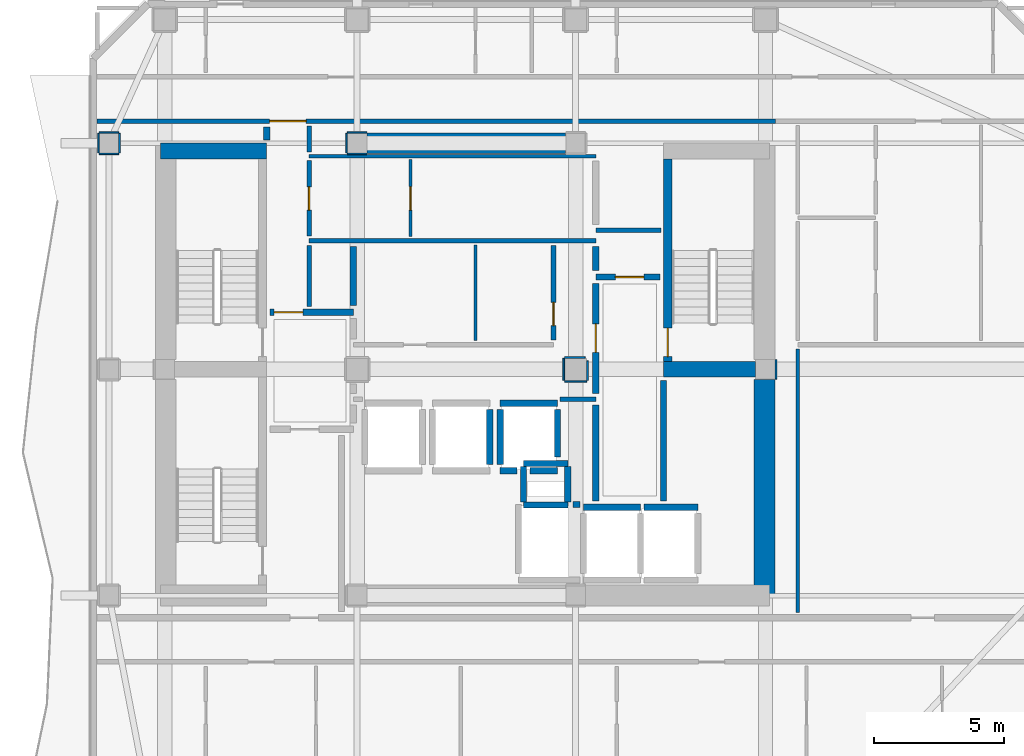
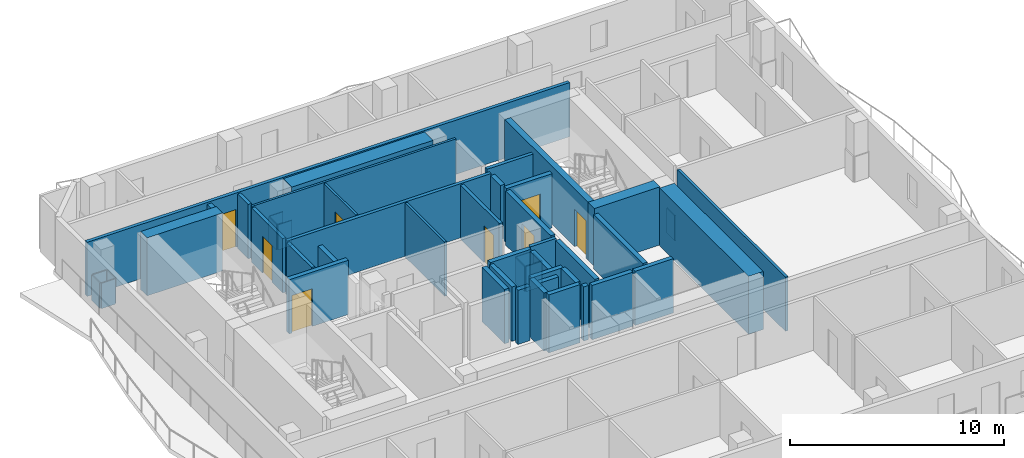
# One storey, part 4 of 9: 50 walls, 8 doors, 8 openings.
"""IFC4 building model written with IfcOpenShell, lengths in metres."""

from ifc_helpers import new_model, si_unit, direction, frame, frame_2d, origin, place, context, subcontext, project, spatial, rectangle, extrude, material, layer, layer_set, type_object, element, fill, save


model = new_model("IFC4")

# Units and contexts
model_context = context("Model", 3, precision=1e-05, world=origin(), true_north=direction((0.0, 1.0)))
body_context = subcontext(model_context, "Body", "Model", "MODEL_VIEW")
ifc_project = project(units=[si_unit("LENGTHUNIT", "METRE"), si_unit("AREAUNIT", "SQUARE_METRE"), si_unit("VOLUMEUNIT", "CUBIC_METRE"), si_unit("PLANEANGLEUNIT", "RADIAN"), si_unit("MASSUNIT", "GRAM", prefix="KILO")], contexts=[model_context])

# Site, building, storey
site_placement = place(None, origin())
site = spatial("IfcSite", under=ifc_project, at=site_placement, CompositionType="ELEMENT")
building_placement = place(site_placement, origin())
building = spatial("IfcBuilding", under=site, at=building_placement, Name="Solanera Arch Residences", CompositionType="ELEMENT")
storey_placement = place(building_placement, frame((0.0, 0.0, 220.0400390625)))
storey = spatial("IfcBuildingStorey", under=building, at=storey_placement, Name="L64", CompositionType="ELEMENT", Elevation=220.0400390625)

# Walls
ifc_material_1 = material(Name="Fire-Rated Gypsum Stud Partition", Category="gypsum")
ifc_layer_1 = layer(ifc_material_1, 0.06005859375)
ifc_layer_set_1 = layer_set([ifc_layer_1], Name="Fire-Rated Gypsum Stud Partition")
wall_type_1 = type_object("IfcWallType", Name="Column Acoustic Furring Wall 60", PredefinedType="PARTITIONING", material=ifc_layer_set_1)
for number, where, z_axis, x_axis, name in (
    (1, (20.425048828125, 38.992919921875, 0.0), (0.0, 0.0, 1.0), (1.0, 0.0, 0.0), "L64 Column Furring 3S"),
    (2, (20.425048828125, 39.806884765625, 0.0), (0.0, 0.0, 1.0), (1.0, 0.0, 0.0), "L64 Column Furring 3N"),
):
    element("IfcWall", number, at=place(storey_placement, frame(where, z_axis=z_axis, x_axis=x_axis)), inside=storey, type_object=wall_type_1, Name=name, PredefinedType="PARTITIONING", context=body_context, shape_type="SweptSolid", body=[
        extrude(rectangle(XDim=0.741943359375, YDim=0.06005859375, at=frame_2d((0.37109375, 0.0))), origin(), (0.0, 0.0, 1.0), 1.449951171875),
    ])
for number, where, z_axis, x_axis, name in (
    (3, (20.39306640625, 39.02490234375, 0.0), (0.0, 0.0, 1.0), (0.0, 1.0, 0.0), "L64 Column Furring 3W"),
    (4, (36.906982421875, 30.324951171875, 0.0), (0.0, 0.0, 1.0), (0.0, 1.0, 0.0), "L64 Column Furring 6E"),
):
    element("IfcWall", number, at=place(storey_placement, frame(where, z_axis=z_axis, x_axis=x_axis)), inside=storey, type_object=wall_type_1, Name=name, PredefinedType="PARTITIONING", context=body_context, shape_type="SweptSolid", body=[
        extrude(rectangle(XDim=0.75, YDim=0.06005859375, at=frame_2d((0.375, 0.0))), origin(), (0.0, 0.0, 1.0), 1.449951171875),
    ])
wall_1_placement = place(storey_placement, frame((28.77490234375, 30.242919921875, 0.0), z_axis=(0.0, 0.0, 1.0), x_axis=(1.0, 0.0, 0.0)))
element("IfcWall", 5, at=wall_1_placement, inside=storey, type_object=wall_type_1, Name="L64 Column Furring 8S", PredefinedType="PARTITIONING", context=body_context, shape_type="SweptSolid", body=[
    extrude(rectangle(XDim=0.85009765625, YDim=0.06005859375, at=frame_2d((0.425048828125, 0.0))), origin(), (0.0, 0.0, 1.0), 1.449951171875),
])
wall_2_placement = place(storey_placement, frame((28.77490234375, 31.156982421875, 0.0), z_axis=(0.0, 0.0, 1.0), x_axis=(1.0, 0.0, 0.0)))
element("IfcWall", 6, at=wall_2_placement, inside=storey, type_object=wall_type_1, Name="L64 Column Furring 8N", PredefinedType="PARTITIONING", context=body_context, shape_type="SweptSolid", body=[
    extrude(rectangle(XDim=0.794189453125, YDim=0.06005859375, at=frame_2d((0.39697265625, 0.0))), origin(), (0.0, 0.0, 1.0), 1.449951171875),
])
wall_3_placement = place(storey_placement, frame((28.742919921875, 30.27490234375, 0.0), z_axis=(0.0, 0.0, 1.0), x_axis=(0.0, 1.0, 0.0)))
element("IfcWall", 7, at=wall_3_placement, inside=storey, type_object=wall_type_1, Name="L64 Column Furring 8W", PredefinedType="PARTITIONING", context=body_context, shape_type="SweptSolid", body=[
    extrude(rectangle(XDim=0.85009765625, YDim=0.06005859375, at=frame_2d((0.425048828125, 0.0))), origin(), (0.0, 0.0, 1.0), 1.449951171875),
])
wall_4_placement = place(storey_placement, frame((29.656982421875, 30.27490234375, 0.0), z_axis=(0.0, 0.0, 1.0), x_axis=(0.0, 1.0, 0.0)))
element("IfcWall", 8, at=wall_4_placement, inside=storey, type_object=wall_type_1, Name="L64 Column Furring 8E", PredefinedType="PARTITIONING", context=body_context, shape_type="SweptSolid", body=[
    extrude(rectangle(XDim=0.757080078125, YDim=0.06005859375, at=frame_2d((0.37841796875, 0.0))), origin(), (0.0, 0.0, 1.0), 1.449951171875),
])
for number, where, z_axis, x_axis, name in (
    (9, (10.875, 38.992919921875, 0.0), (0.0, 0.0, 1.0), (1.0, 0.0, 0.0), "L64 Column Furring 21S"),
    (10, (10.875, 39.806884765625, 0.0), (0.0, 0.0, 1.0), (1.0, 0.0, 0.0), "L64 Column Furring 21N"),
    (11, (10.843017578125, 39.02490234375, 0.0), (0.0, 0.0, 1.0), (0.0, 1.0, 0.0), "L64 Column Furring 21W"),
    (12, (11.656982421875, 39.02490234375, 0.0), (0.0, 0.0, 1.0), (0.0, 1.0, 0.0), "L64 Column Furring 21E"),
):
    element("IfcWall", number, at=place(storey_placement, frame(where, z_axis=z_axis, x_axis=x_axis)), inside=storey, type_object=wall_type_1, Name=name, PredefinedType="PARTITIONING", context=body_context, shape_type="SweptSolid", body=[
        extrude(rectangle(XDim=0.75, YDim=0.06005859375, at=frame_2d((0.375, 0.0))), origin(), (0.0, 0.0, 1.0), 1.449951171875),
    ])

# Wall, opening, door
ifc_material_2 = material(Name="Concrete C40/50 (f'c = 45 MPa)", Category="concrete")
ifc_layer_2 = layer(ifc_material_2, 0.320068359375)
ifc_layer_set_2 = layer_set([ifc_layer_2], Name="Concrete C40/50 (f'c = 45 MPa)")
wall_type_2 = type_object("IfcWallType", Name="Core Shear Wall CW-320", PredefinedType="SHEAR", material=ifc_layer_set_2)
wall_5_placement = place(storey_placement, frame((32.739990234375, 31.0, 0.0), z_axis=(0.0, 0.0, 1.0), x_axis=(0.0, 1.0, 0.0)))
wall_5 = element("IfcWall", 13, at=wall_5_placement, inside=storey, type_object=wall_type_2, Name="L64 Stair ST-T2 West Shear Wall", PredefinedType="SHEAR", context=body_context, shape_type="SweptSolid", body=[
    extrude(rectangle(XDim=7.800048828125, YDim=0.320068359375, at=frame_2d((3.89990234375, 0.0))), origin(), (0.0, 0.0, 1.0), 3.320068359375),
])
opening_1_placement = place(wall_5_placement, frame((0.18994140625, 0.0, 0.0)))
opening_1 = element("IfcOpeningElement", 14, at=opening_1_placement, cuts=wall_5, Name="Opening DF-01", PredefinedType="OPENING", context=body_context, shape_type="SweptSolid", body=[
    extrude(rectangle(XDim=1.10009765625, YDim=2.14990234375, at=frame_2d((0.550048828125, 1.074951171875))), frame((0.0, 0.169921875, 0.0), z_axis=(0.0, -1.0, 0.0), x_axis=(1.0, 0.0, 0.0)), (0.0, 0.0, 1.0), 0.3401),
])
ifc_material_3 = material(Name="Fire-Rated Architectural Hardwood", Category="wood")
door_type_1 = type_object("IfcDoorType", Name="Stair Exit Fire Door DF-01", OperationType="NOTDEFINED", PredefinedType="DOOR", material=ifc_material_3)
door_1_placement = place(opening_1_placement, origin())
door_1 = element("IfcDoor", 15, at=door_1_placement, inside=storey, type_object=door_type_1, Name="DR-L64-STAIR-ST-T2", OperationType="SINGLE_SWING_LEFT", OverallHeight=2.14990234375, OverallWidth=1.10009765625, PredefinedType="DOOR", context=body_context, shape_type="SweptSolid", body=[
    extrude(rectangle(XDim=1.10009765625, YDim=2.14990234375, at=frame_2d((0.550048828125, 1.074951171875))), frame((0.0, 0.02490234375, 0.0), z_axis=(0.0, -1.0, 0.0), x_axis=(1.0, 0.0, 0.0)), (0.0, 0.0, 1.0), 0.050048828125),
])
fill(opening_1, door_1)

# Walls
ifc_material_4 = material(Name="Concrete C40/50 (f'c = 45 MPa)", Category="concrete")
ifc_layer_3 = layer(ifc_material_4, 0.60009765625)
ifc_layer_set_3 = layer_set([ifc_layer_3], Name="Concrete C40/50 (f'c = 45 MPa)")
wall_type_3 = type_object("IfcWallType", Name="Core Shear Wall CW-600", PredefinedType="SHEAR", material=ifc_layer_set_3)
wall_6_placement = place(storey_placement, frame((13.239990234375, 39.10009765625, 0.0), z_axis=(0.0, 0.0, 1.0), x_axis=(1.0, 0.0, 0.0)))
element("IfcWall", 16, at=wall_6_placement, inside=storey, type_object=wall_type_3, Name="L64 North-West Core Shear Wall", PredefinedType="SHEAR", context=body_context, shape_type="SweptSolid", body=[
    extrude(rectangle(XDim=4.080078125, YDim=0.60009765625, at=frame_2d((2.0400390625, 0.0))), origin(), (0.0, 0.0, 1.0), 3.320068359375),
])
wall_7_placement = place(storey_placement, frame((32.580078125, 30.699951171875, 0.0), z_axis=(0.0, 0.0, 1.0), x_axis=(1.0, 0.0, 0.0)))
element("IfcWall", 17, at=wall_7_placement, inside=storey, type_object=wall_type_3, Name="L64 East Stair Far-Landing Shear Wall", PredefinedType="SHEAR", context=body_context, shape_type="SweptSolid", body=[
    extrude(rectangle(XDim=3.5400390625, YDim=0.60009765625, at=frame_2d((1.77001953125, 0.0))), origin(), (0.0, 0.0, 1.0), 3.320068359375),
])
ifc_material_5 = material(Name="Concrete C40/50 (f'c = 45 MPa)", Category="concrete")
ifc_layer_4 = layer(ifc_material_5, 0.800048828125)
ifc_layer_set_4 = layer_set([ifc_layer_4], Name="Concrete C40/50 (f'c = 45 MPa)")
wall_type_4 = type_object("IfcWallType", Name="Core Shear Wall CW-800", PredefinedType="SHEAR", material=ifc_layer_set_4)
wall_8_placement = place(storey_placement, frame((36.4599609375, 22.0, 0.0), z_axis=(0.0, 0.0, 1.0), x_axis=(0.0, 1.0, 0.0)))
element("IfcWall", 18, at=wall_8_placement, inside=storey, type_object=wall_type_4, Name="L64 East Core South Shear Wall", PredefinedType="SHEAR", context=body_context, shape_type="SweptSolid", body=[
    extrude(rectangle(XDim=8.320068359375, YDim=0.800048828125, at=frame_2d((4.16015625, 0.0))), origin(), (0.0, 0.0, 1.0), 3.320068359375),
])
wall_9_placement = place(storey_placement, frame((21.179931640625, 39.39990234375, 0.0), z_axis=(0.0, 0.0, 1.0), x_axis=(1.0, 0.0, 0.0)))
element("IfcWall", 19, at=wall_9_placement, inside=storey, type_object=wall_type_4, Name="L64 Central North Core Shear Wall", PredefinedType="SHEAR", context=body_context, shape_type="SweptSolid", body=[
    extrude(rectangle(XDim=7.64013671875, YDim=0.800048828125, at=frame_2d((3.820068359375, 0.0))), origin(), (0.0, 0.0, 1.0), 3.320068359375),
])
ifc_material_6 = material(Name="Autoclaved Aerated Concrete Blockwork", Category="masonry")
ifc_layer_5 = layer(ifc_material_6, 0.179931640625)
ifc_layer_set_5 = layer_set([ifc_layer_5], Name="Autoclaved Aerated Concrete Blockwork")
wall_type_5 = type_object("IfcWallType", Name="Corridor Fire Partition 180", PredefinedType="PARTITIONING", material=ifc_layer_set_5)
wall_10_placement = place(storey_placement, frame((28.593017578125, 29.550048828125, 0.0), z_axis=(0.0, 0.0, 1.0), x_axis=(1.0, 0.0, 0.0)))
element("IfcWall", 20, at=wall_10_placement, inside=storey, type_object=wall_type_5, Name="L64 Interior Partition H7 2", PredefinedType="PARTITIONING", context=body_context, shape_type="SweptSolid", body=[
    extrude(rectangle(XDim=1.382080078125, YDim=0.179931640625, at=frame_2d((0.69091796875, 0.0))), origin(), (0.0, 0.0, 1.0), 3.099853515625),
])
wall_11_placement = place(storey_placement, frame((18.949951171875, 35.64990234375, 0.0), z_axis=(0.0, 0.0, 1.0), x_axis=(1.0, 0.0, 0.0)))
element("IfcWall", 21, at=wall_11_placement, inside=storey, type_object=wall_type_5, Name="L64 Interior Partition H10", PredefinedType="PARTITIONING", context=body_context, shape_type="SweptSolid", body=[
    extrude(rectangle(XDim=11.025146484375, YDim=0.179931640625, at=frame_2d((5.5126953125, 0.0))), origin(), (0.0, 0.0, 1.0), 3.099853515625),
])
wall_12_placement = place(storey_placement, frame((29.97509765625, 36.050048828125, 0.0), z_axis=(0.0, 0.0, 1.0), x_axis=(1.0, 0.0, 0.0)))
element("IfcWall", 22, at=wall_12_placement, inside=storey, type_object=wall_type_5, Name="L64 Interior Partition H11", PredefinedType="PARTITIONING", context=body_context, shape_type="SweptSolid", body=[
    extrude(rectangle(XDim=2.5048828125, YDim=0.179931640625, at=frame_2d((1.25244140625, 0.0))), origin(), (0.0, 0.0, 1.0), 3.099853515625),
])

# Wall, opening, door
wall_13_placement = place(storey_placement, frame((10.787109375, 40.25, 0.0), z_axis=(0.0, 0.0, 1.0), x_axis=(1.0, 0.0, 0.0)))
wall_13 = element("IfcWall", 23, at=wall_13_placement, inside=storey, type_object=wall_type_5, Name="L64 Interior Partition H12 1", PredefinedType="PARTITIONING", context=body_context, shape_type="SweptSolid", body=[
    extrude(rectangle(XDim=26.101806640625, YDim=0.179931640625, at=frame_2d((13.05078125, 0.0))), origin(), (0.0, 0.0, 1.0), 3.099853515625),
])
opening_2_placement = place(wall_13_placement, frame((6.64794921875, 0.0, 0.0)))
opening_2 = element("IfcOpeningElement", 24, at=opening_2_placement, cuts=wall_13, Name="Opening DF-03", PredefinedType="OPENING", context=body_context, shape_type="SweptSolid", body=[
    extrude(rectangle(XDim=1.39990234375, YDim=2.14990234375, at=frame_2d((0.699951171875, 1.074951171875))), frame((0.0, 0.10009765625, 0.0), z_axis=(0.0, -1.0, 0.0), x_axis=(1.0, 0.0, 0.0)), (0.0, 0.0, 1.0), 0.1999),
])
ifc_material_7 = material(Name="Fire-Rated Architectural Hardwood", Category="wood")
door_type_2 = type_object("IfcDoorType", Name="Corridor Smoke Door DF-03", OperationType="NOTDEFINED", PredefinedType="DOOR", material=ifc_material_7)
door_2_placement = place(opening_2_placement, origin())
door_2 = element("IfcDoor", 25, at=door_2_placement, inside=storey, type_object=door_type_2, Name="DR-L64-IN-009", OperationType="SINGLE_SWING_RIGHT", OverallHeight=2.14990234375, OverallWidth=1.39990234375, PredefinedType="DOOR", context=body_context, shape_type="SweptSolid", body=[
    extrude(rectangle(XDim=1.39990234375, YDim=2.14990234375, at=frame_2d((0.699951171875, 1.074951171875))), frame((0.0, 0.02490234375, 0.0), z_axis=(0.0, -1.0, 0.0), x_axis=(1.0, 0.0, 0.0)), (0.0, 0.0, 1.0), 0.050048828125),
])
fill(opening_2, door_2)

# Wall
wall_14_placement = place(storey_placement, frame((18.949951171875, 33.117919921875, 0.0), z_axis=(0.0, 0.0, 1.0), x_axis=(0.0, 1.0, 0.0)))
element("IfcWall", 26, at=wall_14_placement, inside=storey, type_object=wall_type_5, Name="L64 Interior Partition V8 1", PredefinedType="PARTITIONING", context=body_context, shape_type="SweptSolid", body=[
    extrude(rectangle(XDim=2.343994140625, YDim=0.179931640625, at=frame_2d((1.171875, 0.0))), origin(), (0.0, 0.0, 1.0), 3.099853515625),
])

# Wall, opening, door
wall_15_placement = place(storey_placement, frame((18.949951171875, 35.837890625, 0.0), z_axis=(0.0, 0.0, 1.0), x_axis=(0.0, 1.0, 0.0)))
wall_15 = element("IfcWall", 27, at=wall_15_placement, inside=storey, type_object=wall_type_5, Name="L64 Interior Partition V8 2", PredefinedType="PARTITIONING", context=body_context, shape_type="SweptSolid", body=[
    extrude(rectangle(XDim=2.904052734375, YDim=0.179931640625, at=frame_2d((1.4521484375, 0.0))), origin(), (0.0, 0.0, 1.0), 3.099853515625),
])
opening_3_placement = place(wall_15_placement, frame((0.987060546875, 0.0, 0.0)))
opening_3 = element("IfcOpeningElement", 28, at=opening_3_placement, cuts=wall_15, Name="Opening DI-02", PredefinedType="OPENING", context=body_context, shape_type="SweptSolid", body=[
    extrude(rectangle(XDim=0.89990234375, YDim=2.10009765625, at=frame_2d((0.449951171875, 1.050048828125))), frame((0.0, 0.10009765625, 0.0), z_axis=(0.0, -1.0, 0.0), x_axis=(1.0, 0.0, 0.0)), (0.0, 0.0, 1.0), 0.1999),
])
ifc_material_8 = material(Name="Fire-Rated Architectural Hardwood", Category="wood")
door_type_3 = type_object("IfcDoorType", Name="Suite Room Swing Door DI-02", OperationType="NOTDEFINED", PredefinedType="DOOR", material=ifc_material_8)
door_3_placement = place(opening_3_placement, origin())
door_3 = element("IfcDoor", 29, at=door_3_placement, inside=storey, type_object=door_type_3, Name="DR-L64-IN-010", OperationType="SINGLE_SWING_LEFT", OverallHeight=2.10009765625, OverallWidth=0.89990234375, PredefinedType="DOOR", context=body_context, shape_type="SweptSolid", body=[
    extrude(rectangle(XDim=0.89990234375, YDim=2.10009765625, at=frame_2d((0.449951171875, 1.050048828125))), frame((0.0, 0.02490234375, 0.0), z_axis=(0.0, -1.0, 0.0), x_axis=(1.0, 0.0, 0.0)), (0.0, 0.0, 1.0), 0.050048828125),
])
fill(opening_3, door_3)

# Wall
wall_16_placement = place(storey_placement, frame((18.949951171875, 39.05810546875, 0.0), z_axis=(0.0, 0.0, 1.0), x_axis=(0.0, 1.0, 0.0)))
element("IfcWall", 30, at=wall_16_placement, inside=storey, type_object=wall_type_5, Name="L64 Interior Partition V8 3", PredefinedType="PARTITIONING", context=body_context, shape_type="SweptSolid", body=[
    extrude(rectangle(XDim=1.00390625, YDim=0.179931640625, at=frame_2d((0.501953125, 0.0))), origin(), (0.0, 0.0, 1.0), 3.099853515625),
])

# Wall, opening, door
wall_17_placement = place(storey_placement, frame((28.35009765625, 31.837890625, 0.0), z_axis=(0.0, 0.0, 1.0), x_axis=(0.0, 1.0, 0.0)))
wall_17 = element("IfcWall", 31, at=wall_17_placement, inside=storey, type_object=wall_type_5, Name="L64 Interior Partition V9", PredefinedType="PARTITIONING", context=body_context, shape_type="SweptSolid", body=[
    extrude(rectangle(XDim=3.6240234375, YDim=0.179931640625, at=frame_2d((1.81201171875, 0.0))), origin(), (0.0, 0.0, 1.0), 3.099853515625),
])
opening_4_placement = place(wall_17_placement, frame((0.541015625, 0.0, 0.0)))
opening_4 = element("IfcOpeningElement", 32, at=opening_4_placement, cuts=wall_17, Name="Opening DI-02", PredefinedType="OPENING", context=body_context, shape_type="SweptSolid", body=[
    extrude(rectangle(XDim=0.89990234375, YDim=2.10009765625, at=frame_2d((0.449951171875, 1.050048828125))), frame((0.0, 0.10009765625, 0.0), z_axis=(0.0, -1.0, 0.0), x_axis=(1.0, 0.0, 0.0)), (0.0, 0.0, 1.0), 0.1999),
])
door_4_placement = place(opening_4_placement, origin())
door_4 = element("IfcDoor", 33, at=door_4_placement, inside=storey, type_object=door_type_3, Name="DR-L64-IN-013", OperationType="SINGLE_SWING_RIGHT", OverallHeight=2.10009765625, OverallWidth=0.89990234375, PredefinedType="DOOR", context=body_context, shape_type="SweptSolid", body=[
    extrude(rectangle(XDim=0.89990234375, YDim=2.10009765625, at=frame_2d((0.449951171875, 1.050048828125))), frame((0.0, 0.02490234375, 0.0), z_axis=(0.0, -1.0, 0.0), x_axis=(1.0, 0.0, 0.0)), (0.0, 0.0, 1.0), 0.050048828125),
])
fill(opening_4, door_4)

# Walls
ifc_material_9 = material(Name="Concrete C40/50 (f'c = 45 MPa)", Category="concrete")
ifc_layer_6 = layer(ifc_material_9, 0.239990234375)
ifc_layer_set_6 = layer_set([ifc_layer_6], Name="Concrete C40/50 (f'c = 45 MPa)")
wall_type_6 = type_object("IfcWallType", Name="Ramp Bearing Shear Wall RW-240", PredefinedType="SHEAR", material=ifc_layer_set_6)
for number, where, z_axis, x_axis, name in (
    (34, (27.199951171875, 25.47998046875, 0.0), (0.0, 0.0, 1.0), (1.0, 0.0, 0.0), "L64 Core MEP Riser South Shaft Wall"),
    (35, (27.199951171875, 27.080078125, 0.0), (0.0, 0.0, 1.0), (1.0, 0.0, 0.0), "L64 Core MEP Riser North Shaft Wall"),
):
    element("IfcWall", number, at=place(storey_placement, frame(where, z_axis=z_axis, x_axis=x_axis)), inside=storey, type_object=wall_type_6, Name=name, PredefinedType="SHEAR", context=body_context, shape_type="SweptSolid", body=[
        extrude(rectangle(XDim=1.699951171875, YDim=0.239990234375, at=frame_2d((0.85009765625, 0.0))), origin(), (0.0, 0.0, 1.0), 3.320068359375),
    ])
for number, where, z_axis, x_axis, name in (
    (36, (27.199951171875, 25.60009765625, 0.0), (0.0, 0.0, 1.0), (0.0, 1.0, 0.0), "L64 Core MEP Riser West Shaft Wall"),
    (37, (28.89990234375, 25.60009765625, 0.0), (0.0, 0.0, 1.0), (0.0, 1.0, 0.0), "L64 Core MEP Riser East Shaft Wall"),
):
    element("IfcWall", number, at=place(storey_placement, frame(where, z_axis=z_axis, x_axis=x_axis)), inside=storey, type_object=wall_type_6, Name=name, PredefinedType="SHEAR", context=body_context, shape_type="SweptSolid", body=[
        extrude(rectangle(XDim=1.35986328125, YDim=0.239990234375, at=frame_2d((0.679931640625, 0.0))), origin(), (0.0, 0.0, 1.0), 3.320068359375),
    ])
ifc_material_10 = material(Name="Autoclaved Aerated Concrete Blockwork", Category="masonry")
ifc_layer_7 = layer(ifc_material_10, 0.239990234375)
ifc_layer_set_7 = layer_set([ifc_layer_7], Name="Autoclaved Aerated Concrete Blockwork")
wall_type_7 = type_object("IfcWallType", Name="Shaft Wall Fire-Rated 240", PredefinedType="PARTITIONING", material=ifc_layer_set_7)
wall_18_placement = place(storey_placement, frame((25.89990234375, 27.048095703125, 0.0), z_axis=(0.0, 0.0, 1.0), x_axis=(0.0, 1.0, 0.0)))
element("IfcWall", 38, at=wall_18_placement, inside=storey, type_object=wall_type_7, Name="L64 Lift PL-H2 Hoistway Wall E", PredefinedType="PARTITIONING", context=body_context, shape_type="SweptSolid", body=[
    extrude(rectangle(XDim=2.10400390625, YDim=0.239990234375, at=frame_2d((1.052001953125, 0.0))), origin(), (0.0, 0.0, 1.0), 3.099853515625),
])
wall_19_placement = place(storey_placement, frame((26.300048828125, 26.800048828125, 0.0), z_axis=(0.0, 0.0, 1.0), x_axis=(1.0, 0.0, 0.0)))
element("IfcWall", 39, at=wall_19_placement, inside=storey, type_object=wall_type_7, Name="L64 Lift PL-H3 Hoistway Wall S 1", PredefinedType="PARTITIONING", context=body_context, shape_type="SweptSolid", body=[
    extrude(rectangle(XDim=0.64990234375, YDim=0.239990234375, at=frame_2d((0.324951171875, 0.0))), origin(), (0.0, 0.0, 1.0), 3.099853515625),
])
wall_20_placement = place(storey_placement, frame((27.449951171875, 26.800048828125, 0.0), z_axis=(0.0, 0.0, 1.0), x_axis=(1.0, 0.0, 0.0)))
element("IfcWall", 40, at=wall_20_placement, inside=storey, type_object=wall_type_7, Name="L64 Lift PL-H3 Hoistway Wall S 2", PredefinedType="PARTITIONING", context=body_context, shape_type="SweptSolid", body=[
    extrude(rectangle(XDim=1.050048828125, YDim=0.239990234375, at=frame_2d((0.52490234375, 0.0))), origin(), (0.0, 0.0, 1.0), 3.099853515625),
])
wall_21_placement = place(storey_placement, frame((26.300048828125, 29.39990234375, 0.0), z_axis=(0.0, 0.0, 1.0), x_axis=(1.0, 0.0, 0.0)))
element("IfcWall", 41, at=wall_21_placement, inside=storey, type_object=wall_type_7, Name="L64 Lift PL-H3 Hoistway Wall N", PredefinedType="PARTITIONING", context=body_context, shape_type="SweptSolid", body=[
    extrude(rectangle(XDim=2.199951171875, YDim=0.239990234375, at=frame_2d((1.10009765625, 0.0))), origin(), (0.0, 0.0, 1.0), 3.099853515625),
])
wall_22_placement = place(storey_placement, frame((26.300048828125, 27.048095703125, 0.0), z_axis=(0.0, 0.0, 1.0), x_axis=(0.0, 1.0, 0.0)))
element("IfcWall", 42, at=wall_22_placement, inside=storey, type_object=wall_type_7, Name="L64 Lift PL-H3 Hoistway Wall W", PredefinedType="PARTITIONING", context=body_context, shape_type="SweptSolid", body=[
    extrude(rectangle(XDim=2.10400390625, YDim=0.239990234375, at=frame_2d((1.052001953125, 0.0))), origin(), (0.0, 0.0, 1.0), 3.099853515625),
])
wall_23_placement = place(storey_placement, frame((28.5, 27.330078125, 0.0), z_axis=(0.0, 0.0, 1.0), x_axis=(0.0, 1.0, 0.0)))
element("IfcWall", 43, at=wall_23_placement, inside=storey, type_object=wall_type_7, Name="L64 Lift PL-H3 Hoistway Wall E", PredefinedType="PARTITIONING", context=body_context, shape_type="SweptSolid", body=[
    extrude(rectangle(XDim=1.822021484375, YDim=0.239990234375, at=frame_2d((0.9111328125, 0.0))), origin(), (0.0, 0.0, 1.0), 3.099853515625),
])
wall_24_placement = place(storey_placement, frame((29.5, 25.39990234375, 0.0), z_axis=(0.0, 0.0, 1.0), x_axis=(1.0, 0.0, 0.0)))
element("IfcWall", 44, at=wall_24_placement, inside=storey, type_object=wall_type_7, Name="L64 Lift FFL-1 Hoistway Wall N", PredefinedType="PARTITIONING", context=body_context, shape_type="SweptSolid", body=[
    extrude(rectangle(XDim=2.199951171875, YDim=0.239990234375, at=frame_2d((1.10009765625, 0.0))), origin(), (0.0, 0.0, 1.0), 3.099853515625),
])
wall_25_placement = place(storey_placement, frame((31.827880859375, 25.39990234375, 0.0), z_axis=(0.0, 0.0, 1.0), x_axis=(1.0, 0.0, 0.0)))
element("IfcWall", 45, at=wall_25_placement, inside=storey, type_object=wall_type_7, Name="L64 Lift FFL-2 Hoistway Wall N", PredefinedType="PARTITIONING", context=body_context, shape_type="SweptSolid", body=[
    extrude(rectangle(XDim=2.072021484375, YDim=0.239990234375, at=frame_2d((1.0361328125, 0.0))), origin(), (0.0, 0.0, 1.0), 3.099853515625),
])
wall_26_placement = place(storey_placement, frame((29.10302734375, 25.5, 0.0), z_axis=(0.0, 0.0, 1.0), x_axis=(1.0, 0.0, 0.0)))
element("IfcWall", 46, at=wall_26_placement, inside=storey, type_object=wall_type_7, Name="L64 Lift SVL-1 Hoistway Wall N", PredefinedType="PARTITIONING", context=body_context, shape_type="SweptSolid", body=[
    extrude(rectangle(XDim=0.26904296875, YDim=0.239990234375, at=frame_2d((0.134521484375, 0.0))), origin(), (0.0, 0.0, 1.0), 3.099853515625),
])

# Wall, opening, door
wall_27_placement = place(storey_placement, frame((17.449951171875, 32.89990234375, 0.0), z_axis=(0.0, 0.0, 1.0), x_axis=(1.0, 0.0, 0.0)))
wall_27 = element("IfcWall", 47, at=wall_27_placement, inside=storey, type_object=wall_type_7, Name="L64 Interior Partition H4", PredefinedType="PARTITIONING", context=body_context, shape_type="SweptSolid", body=[
    extrude(rectangle(XDim=3.199951171875, YDim=0.239990234375, at=frame_2d((1.60009765625, 0.0))), origin(), (0.0, 0.0, 1.0), 3.099853515625),
])
opening_5_placement = place(wall_27_placement, frame((0.158935546875, 0.0, 0.0)))
opening_5 = element("IfcOpeningElement", 48, at=opening_5_placement, cuts=wall_27, Name="Opening DF-02", PredefinedType="OPENING", context=body_context, shape_type="SweptSolid", body=[
    extrude(rectangle(XDim=1.10009765625, YDim=2.14990234375, at=frame_2d((0.550048828125, 1.074951171875))), frame((0.0, 0.1298828125, 0.0), z_axis=(0.0, -1.0, 0.0), x_axis=(1.0, 0.0, 0.0)), (0.0, 0.0, 1.0), 0.26),
])
ifc_material_11 = material(Name="Fire-Rated Architectural Hardwood", Category="wood")
door_type_4 = type_object("IfcDoorType", Name="Firefighting Lobby Fire Door DF-02", OperationType="NOTDEFINED", PredefinedType="DOOR", material=ifc_material_11)
door_5_placement = place(opening_5_placement, origin())
door_5 = element("IfcDoor", 49, at=door_5_placement, inside=storey, type_object=door_type_4, Name="DR-L64-IN-005", OperationType="SINGLE_SWING_RIGHT", OverallHeight=2.14990234375, OverallWidth=1.10009765625, PredefinedType="DOOR", context=body_context, shape_type="SweptSolid", body=[
    extrude(rectangle(XDim=1.10009765625, YDim=2.14990234375, at=frame_2d((0.550048828125, 1.074951171875))), frame((0.0, 0.02490234375, 0.0), z_axis=(0.0, -1.0, 0.0), x_axis=(1.0, 0.0, 0.0)), (0.0, 0.0, 1.0), 0.050048828125),
])
fill(opening_5, door_5)

wall_28_placement = place(storey_placement, frame((29.97509765625, 34.25, 0.0), z_axis=(0.0, 0.0, 1.0), x_axis=(1.0, 0.0, 0.0)))
wall_28 = element("IfcWall", 50, at=wall_28_placement, inside=storey, type_object=wall_type_7, Name="L64 Interior Partition H5", PredefinedType="PARTITIONING", context=body_context, shape_type="SweptSolid", body=[
    extrude(rectangle(XDim=2.474853515625, YDim=0.239990234375, at=frame_2d((1.2373046875, 0.0))), origin(), (0.0, 0.0, 1.0), 3.099853515625),
])
opening_6_placement = place(wall_28_placement, frame((0.751953125, 0.0, 0.0)))
opening_6 = element("IfcOpeningElement", 51, at=opening_6_placement, cuts=wall_28, Name="Opening DF-02", PredefinedType="OPENING", context=body_context, shape_type="SweptSolid", body=[
    extrude(rectangle(XDim=1.10009765625, YDim=2.14990234375, at=frame_2d((0.550048828125, 1.074951171875))), frame((0.0, 0.1298828125, 0.0), z_axis=(0.0, -1.0, 0.0), x_axis=(1.0, 0.0, 0.0)), (0.0, 0.0, 1.0), 0.26),
])
door_6_placement = place(opening_6_placement, origin())
door_6 = element("IfcDoor", 52, at=door_6_placement, inside=storey, type_object=door_type_4, Name="DR-L64-IN-007", OperationType="SINGLE_SWING_RIGHT", OverallHeight=2.14990234375, OverallWidth=1.10009765625, PredefinedType="DOOR", context=body_context, shape_type="SweptSolid", body=[
    extrude(rectangle(XDim=1.10009765625, YDim=2.14990234375, at=frame_2d((0.550048828125, 1.074951171875))), frame((0.0, 0.02490234375, 0.0), z_axis=(0.0, -1.0, 0.0), x_axis=(1.0, 0.0, 0.0)), (0.0, 0.0, 1.0), 0.050048828125),
])
fill(opening_6, door_6)

# Walls
wall_29_placement = place(storey_placement, frame((17.320068359375, 39.530029296875, 0.0), z_axis=(0.0, 0.0, 1.0), x_axis=(0.0, 1.0, 0.0)))
element("IfcWall", 53, at=wall_29_placement, inside=storey, type_object=wall_type_7, Name="L64 Interior Partition V1", PredefinedType="PARTITIONING", context=body_context, shape_type="SweptSolid", body=[
    extrude(rectangle(XDim=0.501953125, YDim=0.239990234375, at=frame_2d((0.2509765625, 0.0))), origin(), (0.0, 0.0, 1.0), 3.099853515625),
])
wall_30_placement = place(storey_placement, frame((20.64990234375, 33.14794921875, 0.0), z_axis=(0.0, 0.0, 1.0), x_axis=(0.0, 1.0, 0.0)))
element("IfcWall", 54, at=wall_30_placement, inside=storey, type_object=wall_type_7, Name="L64 Interior Partition V3 4", PredefinedType="PARTITIONING", context=body_context, shape_type="SweptSolid", body=[
    extrude(rectangle(XDim=2.283935546875, YDim=0.239990234375, at=frame_2d((1.14208984375, 0.0))), origin(), (0.0, 0.0, 1.0), 2.3349609375),
])
wall_31_placement = place(storey_placement, frame((29.97509765625, 25.64794921875, 0.0), z_axis=(0.0, 0.0, 1.0), x_axis=(0.0, 1.0, 0.0)))
element("IfcWall", 55, at=wall_31_placement, inside=storey, type_object=wall_type_7, Name="L64 Interior Partition V4 1", PredefinedType="PARTITIONING", context=body_context, shape_type="SweptSolid", body=[
    extrude(rectangle(XDim=3.68408203125, YDim=0.239990234375, at=frame_2d((1.842041015625, 0.0))), origin(), (0.0, 0.0, 1.0), 3.099853515625),
])

# Wall, opening, door
wall_32_placement = place(storey_placement, frame((29.97509765625, 29.76806640625, 0.0), z_axis=(0.0, 0.0, 1.0), x_axis=(0.0, 1.0, 0.0)))
wall_32 = element("IfcWall", 56, at=wall_32_placement, inside=storey, type_object=wall_type_7, Name="L64 Interior Partition V4 2", PredefinedType="PARTITIONING", context=body_context, shape_type="SweptSolid", body=[
    extrude(rectangle(XDim=4.23388671875, YDim=0.239990234375, at=frame_2d((2.116943359375, 0.0))), origin(), (0.0, 0.0, 1.0), 3.099853515625),
])
opening_7_placement = place(wall_32_placement, frame((1.58203125, 0.0, 0.0)))
opening_7 = element("IfcOpeningElement", 57, at=opening_7_placement, cuts=wall_32, Name="Opening DF-02", PredefinedType="OPENING", context=body_context, shape_type="SweptSolid", body=[
    extrude(rectangle(XDim=1.10009765625, YDim=2.14990234375, at=frame_2d((0.550048828125, 1.074951171875))), frame((0.0, 0.1298828125, 0.0), z_axis=(0.0, -1.0, 0.0), x_axis=(1.0, 0.0, 0.0)), (0.0, 0.0, 1.0), 0.26),
])
door_7_placement = place(opening_7_placement, origin())
door_7 = element("IfcDoor", 58, at=door_7_placement, inside=storey, type_object=door_type_4, Name="DR-L64-IN-006", OperationType="SINGLE_SWING_LEFT", OverallHeight=2.14990234375, OverallWidth=1.10009765625, PredefinedType="DOOR", context=body_context, shape_type="SweptSolid", body=[
    extrude(rectangle(XDim=1.10009765625, YDim=2.14990234375, at=frame_2d((0.550048828125, 1.074951171875))), frame((0.0, 0.02490234375, 0.0), z_axis=(0.0, -1.0, 0.0), x_axis=(1.0, 0.0, 0.0)), (0.0, 0.0, 1.0), 0.050048828125),
])
fill(opening_7, door_7)

# Walls
wall_33_placement = place(storey_placement, frame((29.97509765625, 34.498046875, 0.0), z_axis=(0.0, 0.0, 1.0), x_axis=(0.0, 1.0, 0.0)))
element("IfcWall", 59, at=wall_33_placement, inside=storey, type_object=wall_type_7, Name="L64 Interior Partition V4 3", PredefinedType="PARTITIONING", context=body_context, shape_type="SweptSolid", body=[
    extrude(rectangle(XDim=0.933837890625, YDim=0.239990234375, at=frame_2d((0.466796875, 0.0))), origin(), (0.0, 0.0, 1.0), 3.099853515625),
])
wall_34_placement = place(storey_placement, frame((32.580078125, 25.64794921875, 0.0), z_axis=(0.0, 0.0, 1.0), x_axis=(0.0, 1.0, 0.0)))
element("IfcWall", 60, at=wall_34_placement, inside=storey, type_object=wall_type_7, Name="L64 Interior Partition V5", PredefinedType="PARTITIONING", context=body_context, shape_type="SweptSolid", body=[
    extrude(rectangle(XDim=4.6220703125, YDim=0.239990234375, at=frame_2d((2.31103515625, 0.0))), origin(), (0.0, 0.0, 1.0), 3.099853515625),
])
ifc_material_12 = material(Name="Fire-Rated Gypsum Stud Partition", Category="gypsum")
ifc_layer_8 = layer(ifc_material_12, 0.1201171875)
ifc_layer_set_8 = layer_set([ifc_layer_8], Name="Fire-Rated Gypsum Stud Partition")
wall_type_8 = type_object("IfcWallType", Name="Unit Drywall Partition 120", PredefinedType="PARTITIONING", material=ifc_layer_set_8)
wall_35_placement = place(storey_placement, frame((18.949951171875, 38.89990234375, 0.0), z_axis=(0.0, 0.0, 1.0), x_axis=(1.0, 0.0, 0.0)))
element("IfcWall", 61, at=wall_35_placement, inside=storey, type_object=wall_type_8, Name="L64 Interior Partition H20", PredefinedType="PARTITIONING", context=body_context, shape_type="SweptSolid", body=[
    extrude(rectangle(XDim=11.025146484375, YDim=0.1201171875, at=frame_2d((5.5126953125, 0.0))), origin(), (0.0, 0.0, 1.0), 3.099853515625),
])

# Wall, opening, door
wall_36_placement = place(storey_placement, frame((22.85009765625, 35.80810546875, 0.0), z_axis=(0.0, 0.0, 1.0), x_axis=(0.0, 1.0, 0.0)))
wall_36 = element("IfcWall", 62, at=wall_36_placement, inside=storey, type_object=wall_type_8, Name="L64 Interior Partition V20", PredefinedType="PARTITIONING", context=body_context, shape_type="SweptSolid", body=[
    extrude(rectangle(XDim=2.9638671875, YDim=0.1201171875, at=frame_2d((1.48193359375, 0.0))), origin(), (0.0, 0.0, 1.0), 3.099853515625),
])
opening_8_placement = place(wall_36_placement, frame((1.01708984375, 0.0, 0.0)))
opening_8 = element("IfcOpeningElement", 63, at=opening_8_placement, cuts=wall_36, Name="Opening DI-02", PredefinedType="OPENING", context=body_context, shape_type="SweptSolid", body=[
    extrude(rectangle(XDim=0.89990234375, YDim=2.10009765625, at=frame_2d((0.449951171875, 1.050048828125))), frame((0.0, 0.070068359375, 0.0), z_axis=(0.0, -1.0, 0.0), x_axis=(1.0, 0.0, 0.0)), (0.0, 0.0, 1.0), 0.1401),
])
door_8_placement = place(opening_8_placement, origin())
door_8 = element("IfcDoor", 64, at=door_8_placement, inside=storey, type_object=door_type_3, Name="DR-L64-IN-011", OperationType="SINGLE_SWING_RIGHT", OverallHeight=2.10009765625, OverallWidth=0.89990234375, PredefinedType="DOOR", context=body_context, shape_type="SweptSolid", body=[
    extrude(rectangle(XDim=0.89990234375, YDim=2.10009765625, at=frame_2d((0.449951171875, 1.050048828125))), frame((0.0, 0.02490234375, 0.0), z_axis=(0.0, -1.0, 0.0), x_axis=(1.0, 0.0, 0.0)), (0.0, 0.0, 1.0), 0.050048828125),
])
fill(opening_8, door_8)

# Walls
wall_37_placement = place(storey_placement, frame((25.35009765625, 31.80810546875, 0.0), z_axis=(0.0, 0.0, 1.0), x_axis=(0.0, 1.0, 0.0)))
element("IfcWall", 65, at=wall_37_placement, inside=storey, type_object=wall_type_8, Name="L64 Interior Partition V21", PredefinedType="PARTITIONING", context=body_context, shape_type="SweptSolid", body=[
    extrude(rectangle(XDim=3.683837890625, YDim=0.1201171875, at=frame_2d((1.841796875, 0.0))), origin(), (0.0, 0.0, 1.0), 3.099853515625),
])
ifc_material_13 = material(Name="Autoclaved Aerated Concrete Blockwork", Category="masonry")
ifc_layer_9 = layer(ifc_material_13, 0.139892578125)
ifc_layer_set_9 = layer_set([ifc_layer_9], Name="Autoclaved Aerated Concrete Blockwork")
wall_type_9 = type_object("IfcWallType", Name="Wet-Room Partition 140", PredefinedType="PARTITIONING", material=ifc_layer_set_9)
wall_38_placement = place(storey_placement, frame((37.75, 21.347900390625, 0.0), z_axis=(0.0, 0.0, 1.0), x_axis=(0.0, 1.0, 0.0)))
element("IfcWall", 66, at=wall_38_placement, inside=storey, type_object=wall_type_9, Name="L64 Interior Partition V17 1", PredefinedType="PARTITIONING", context=body_context, shape_type="SweptSolid", body=[
    extrude(rectangle(XDim=10.134033203125, YDim=0.139892578125, at=frame_2d((5.06689453125, 0.0))), origin(), (0.0, 0.0, 1.0), 3.099853515625),
])

save(model, "model.ifc")
